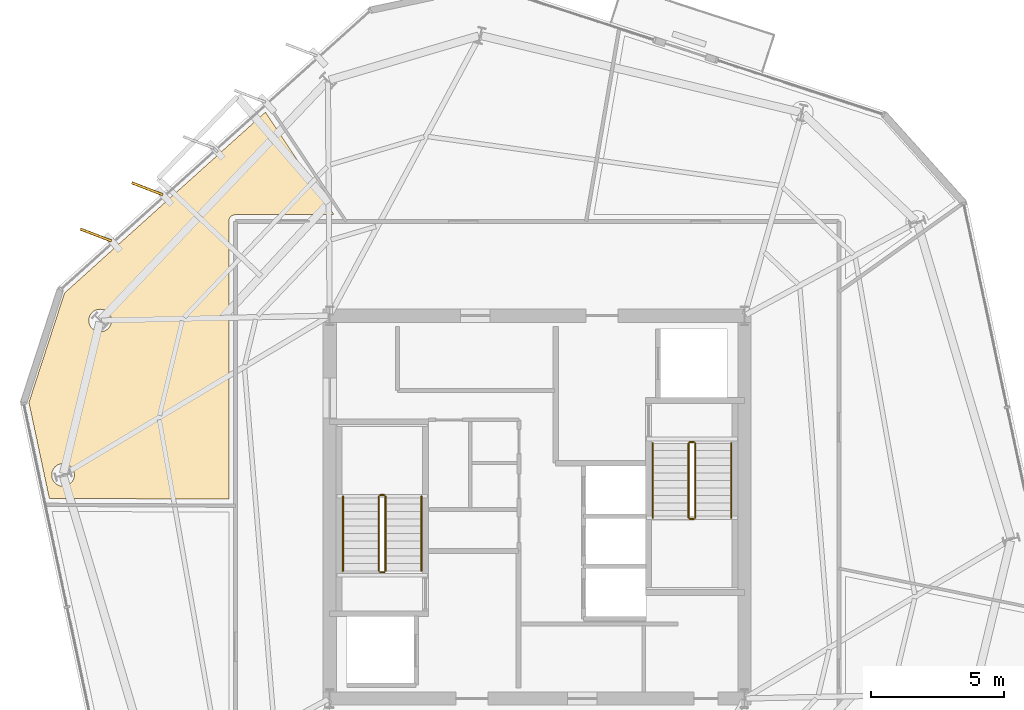
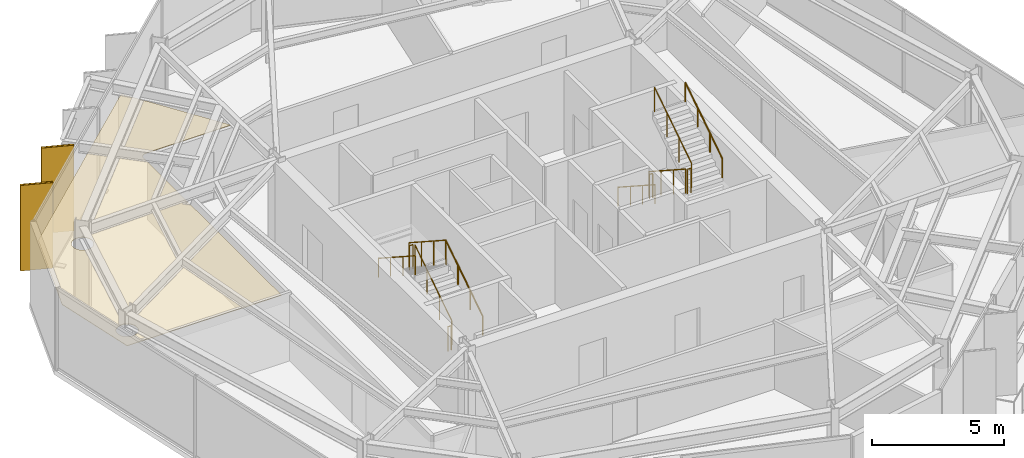
# One storey, part 10 of 11: 12 railings, 3 coverings, 2 shading devices.
"""IFC4 building model written with IfcOpenShell, lengths in metres."""

import ifcopenshell
import ifcopenshell.guid

model = None  # the IFC model being written
_history = None  # IfcOwnerHistory: only IFC2X3 demands one
_inside = {}  # id of a spatial element -> (the spatial element, [elements in it])
_under = {}  # id of a project, library or spatial element -> (it, [spatial elements below it])
_declared = {}  # id of a project -> (the project, [libraries it declares])
_typed = {}  # id of a type object -> (the type object, [elements of that type])
_made_of = {}  # id of a material, layer set ... -> (it, [elements and type objects made of it])


def new_model(schema):
    """Start an empty IFC model of exactly this schema.

    Asked for "IFC4X3", IfcOpenShell would pick the latest addendum, in which some entities
    have other attributes; the version numbers below select the first issue.
    IFC2X3 requires an IfcOwnerHistory on every rooted entity: one is made here for all.
    """
    global model, _history
    if schema == "IFC4X3":
        model = ifcopenshell.file(schema_version=(4, 3, 0, 0))
    else:
        model = ifcopenshell.file(schema=schema)
    _inside.clear()
    _under.clear()
    _declared.clear()
    _typed.clear()
    _made_of.clear()
    _history = None
    if model.schema == "IFC2X3":
        org = make("IfcOrganization", Name="unknown")
        user = make(
            "IfcPersonAndOrganization",
            ThePerson=make("IfcPerson", FamilyName="unknown"),
            TheOrganization=org,
        )
        app = make(
            "IfcApplication",
            ApplicationDeveloper=org,
            Version="unknown",
            ApplicationFullName="unknown",
            ApplicationIdentifier="unknown",
        )
        _history = make(
            "IfcOwnerHistory",
            OwningUser=user,
            OwningApplication=app,
            ChangeAction="ADDED",
            CreationDate=0,
        )
    return model


def make(cls, **values):
    """One entity of the class cls with the attributes given. An attribute that is None is left unset."""
    return model.create_entity(
        cls, **{name: value for name, value in values.items() if value is not None}
    )


def rooted(cls, **values):
    """An entity with a GlobalId (a new one), such as an element, a storey or a relation."""
    return make(cls, GlobalId=ifcopenshell.guid.new(), OwnerHistory=_history, **values)


def si_unit(unit_type, name, prefix=None):
    """IfcSIUnit, for example si_unit("LENGTHUNIT", "METRE", prefix="MILLI")."""
    return make("IfcSIUnit", UnitType=unit_type, Prefix=prefix, Name=name)


def assignment(units):
    """IfcUnitAssignment: the units of a project."""
    return None if units is None else make("IfcUnitAssignment", Units=units)


def point(xyz):
    """IfcCartesianPoint."""
    return None if xyz is None else make("IfcCartesianPoint", Coordinates=xyz)


def direction(xyz):
    """IfcDirection."""
    return None if xyz is None else make("IfcDirection", DirectionRatios=xyz)


def frame(location, z_axis=None, x_axis=None):
    """IfcAxis2Placement3D, a coordinate frame: its origin and axes. An axis left out is left unset."""
    return make(
        "IfcAxis2Placement3D",
        Location=point(location),
        Axis=direction(z_axis),
        RefDirection=direction(x_axis),
    )


def frame_2d(location, x_axis=None):
    """IfcAxis2Placement2D, a coordinate frame in the plane: its origin and x axis."""
    return make(
        "IfcAxis2Placement2D", Location=point(location), RefDirection=direction(x_axis)
    )


def origin():
    """The frame at (0, 0, 0) with its axes left unset."""
    return frame((0.0, 0.0, 0.0))


def origin_2d():
    """The frame at (0, 0) in the plane with its x axis left unset."""
    return frame_2d((0.0, 0.0))


def place(relative_to, where):
    """IfcLocalPlacement: puts the frame where relative to a parent placement (None: the world)."""
    return make(
        "IfcLocalPlacement", PlacementRelTo=relative_to, RelativePlacement=where
    )


def context(
    kind, dimensions, precision=None, world=None, true_north=None, identifier=None
):
    """IfcGeometricRepresentationContext, for example the 3D "Model" context."""
    return make(
        "IfcGeometricRepresentationContext",
        ContextIdentifier=identifier,
        ContextType=kind,
        CoordinateSpaceDimension=dimensions,
        Precision=precision,
        WorldCoordinateSystem=world,
        TrueNorth=true_north,
    )


def subcontext(parent, identifier, kind, view, scale=None):
    """IfcGeometricRepresentationSubContext, for example "Body" below "Model"."""
    return make(
        "IfcGeometricRepresentationSubContext",
        ContextIdentifier=identifier,
        ContextType=kind,
        ParentContext=parent,
        TargetScale=scale,
        TargetView=view,
    )


def project(units=None, contexts=None):
    """IfcProject with its units and contexts."""
    return rooted(
        "IfcProject",
        Name="project",
        RepresentationContexts=contexts,
        UnitsInContext=assignment(units),
    )


def spatial(cls, under=None, at=None, **own):
    """A site, building, storey or space (cls), placed at a placement, below another one or the project."""
    s = rooted(cls, ObjectPlacement=at, **own)
    if under is not None:
        _under.setdefault(under.id(), (under, []))[1].append(s)
    return s


def polyline(points):
    """IfcPolyline through the points."""
    return make("IfcPolyline", Points=[point(p) for p in points])


def profile(cls, at=None, kind="AREA", **sizes):
    """A parametric profile (cls). Its sizes go by their IFC names, for example OverallWidth=200.0."""
    return make(cls, ProfileType=kind, Position=at, **sizes)


def rectangle(**sizes):
    """IfcRectangleProfileDef."""
    return profile("IfcRectangleProfileDef", **sizes)


def circle(**sizes):
    """IfcCircleProfileDef."""
    return profile("IfcCircleProfileDef", **sizes)


def outline(outer, holes=None, kind="AREA"):
    """IfcArbitraryClosedProfileDef: a profile drawn as a closed curve; with holes, ...WithVoids."""
    if holes is None:
        return make("IfcArbitraryClosedProfileDef", ProfileType=kind, OuterCurve=outer)
    return make(
        "IfcArbitraryProfileDefWithVoids",
        ProfileType=kind,
        OuterCurve=outer,
        InnerCurves=holes,
    )


def extrude(swept, where, along, depth):
    """IfcExtrudedAreaSolid: the profile swept, set in the frame where, extruded along a direction by depth."""
    return make(
        "IfcExtrudedAreaSolid",
        SweptArea=swept,
        Position=where,
        ExtrudedDirection=direction(along),
        Depth=depth,
    )


def shape(context_of_items, identifier, shape_type, items):
    """IfcShapeRepresentation: the items that make up one representation, for example the "Body"."""
    return make(
        "IfcShapeRepresentation",
        ContextOfItems=context_of_items,
        RepresentationIdentifier=identifier,
        RepresentationType=shape_type,
        Items=items,
    )


def material(Name=None, Category=None):
    """IfcMaterial."""
    return make("IfcMaterial", Name=Name, Category=Category)


def layer(
    of_material, thickness, ventilated=None, Name=None, Category=None, Priority=None
):
    """IfcMaterialLayer: one layer of a wall or slab, of a material (None: an air gap)."""
    return make(
        "IfcMaterialLayer",
        Material=of_material,
        LayerThickness=thickness,
        IsVentilated=ventilated,
        Name=Name,
        Category=Category,
        Priority=Priority,
    )


def layer_set(layers, Name=None):
    """IfcMaterialLayerSet."""
    return make("IfcMaterialLayerSet", MaterialLayers=layers, LayerSetName=Name)


def made_of(thing, what):
    """Note that an element or type object is made of a material, layer set ...; save() writes the relation."""
    if what is not None:
        _made_of.setdefault(what.id(), (what, []))[1].append(thing)
    return thing


def type_object(cls, material=None, **own):
    """A type object (cls), such as IfcWallType, which elements share."""
    return made_of(rooted(cls, **own), material)


def element(
    cls,
    number,
    at=None,
    inside=None,
    cuts=None,
    type_object=None,
    material=None,
    context=None,
    identifier="Body",
    shape_type=None,
    held_by="IfcProductDefinitionShape",
    body=None,
    shapes=None,
    **own,
):
    """One element of the class cls, such as IfcWall. Its Tag is "e" and its number.

    at: its placement. inside: the storey or other place that contains it. cuts: it is an
    opening in that element (IfcRelVoidsElement). A single representation is given by context,
    identifier, shape_type and body (its items); several are given by shapes. held_by: the class
    of the entity that holds the representations. save() writes the other relations.
    """
    e = rooted(cls, Tag="e%d" % number, ObjectPlacement=at, **own)
    if body is not None:
        shapes = [shape(context, identifier, shape_type, body)]
    if shapes is not None:
        e.Representation = make(held_by, Representations=shapes)
    if inside is not None:
        _inside.setdefault(inside.id(), (inside, []))[1].append(e)
    if cuts is not None:
        rooted(
            "IfcRelVoidsElement", RelatingBuildingElement=cuts, RelatedOpeningElement=e
        )
    if type_object is not None:
        _typed.setdefault(type_object.id(), (type_object, []))[1].append(e)
    return made_of(e, material)


def aggregate(whole, parts):
    """IfcRelAggregates: a whole, such as a stair, and the parts it consists of."""
    return rooted("IfcRelAggregates", RelatingObject=whole, RelatedObjects=parts)


def save(model, path):
    """Write the relations noted so far, then the file.

    IfcRelAggregates (storeys below a building ...), IfcRelContainedInSpatialStructure (elements
    in a storey), IfcRelDefinesByType, IfcRelAssociatesMaterial and IfcRelDeclares: one each for
    every whole, place, type object, material and project.
    """
    for whole, parts in _under.values():
        aggregate(whole, parts)
    for where, things in _inside.values():
        rooted(
            "IfcRelContainedInSpatialStructure",
            RelatedElements=things,
            RelatingStructure=where,
        )
    for kind, things in _typed.values():
        rooted("IfcRelDefinesByType", RelatedObjects=things, RelatingType=kind)
    for what, things in _made_of.values():
        rooted("IfcRelAssociatesMaterial", RelatedObjects=things, RelatingMaterial=what)
    for by, libraries in _declared.values():
        rooted("IfcRelDeclares", RelatingContext=by, RelatedDefinitions=libraries)
    model.write(path)


model = new_model("IFC4")

# Units and contexts
model_context = context("Model", 3, precision=1e-05, world=origin(), true_north=direction((0.0, 1.0)))
body_context = subcontext(model_context, "Body", "Model", "MODEL_VIEW")
ifc_project = project(units=[si_unit("LENGTHUNIT", "METRE"), si_unit("AREAUNIT", "SQUARE_METRE"), si_unit("VOLUMEUNIT", "CUBIC_METRE"), si_unit("PLANEANGLEUNIT", "RADIAN"), si_unit("MASSUNIT", "GRAM", prefix="KILO")], contexts=[model_context])

# Site, building, storey
site_placement = place(None, origin())
site = spatial("IfcSite", under=ifc_project, at=site_placement, CompositionType="ELEMENT")
building_placement = place(site_placement, origin())
building = spatial("IfcBuilding", under=site, at=building_placement, Name="Kranzbogen Civic Tower", CompositionType="ELEMENT")
storey_placement = place(building_placement, frame((0.0, 0.0, 192.800048828125)))
storey = spatial("IfcBuildingStorey", under=building, at=storey_placement, Name="L46", CompositionType="ELEMENT", Elevation=192.800048828125)

# Coverings
ifc_material_1 = material(Name="Pale Anodised Aluminium", Category="aluminium")
ifc_layer_1 = layer(ifc_material_1, 0.02490234375, Name="Pale Anodised Aluminium")
ifc_layer_set_1 = layer_set([ifc_layer_1], Name="Pale Anodised Aluminium")
covering_type_1 = type_object("IfcCoveringType", Name="Anodised Aluminium Vertical Fin Cladding 25 mm", PredefinedType="CLADDING", material=ifc_layer_set_1)
for number, where, z_axis, x_axis, name in (
    (1, (10.340087890625, 36.972900390625, -0.14013671875), (0.0, 0.0, 1.0), (-0.933323744767, 0.359035913878, 0.0), "L46 vertical fin pale-metal cladding F2-4"),
    (2, (8.407958984375, 35.23291015625, -0.14013671875), (0.0, 0.0, 1.0), (-0.933323744767, 0.359035913878, 0.0), "L46 vertical fin pale-metal cladding F2-5"),
):
    element("IfcCovering", number, at=place(storey_placement, frame(where, z_axis=z_axis, x_axis=x_axis)), inside=storey, type_object=covering_type_1, Name=name, PredefinedType="CLADDING", context=body_context, shape_type="SweptSolid", body=[
        extrude(rectangle(XDim=1.25, YDim=0.10009765625, at=origin_2d()), origin(), (0.0, 0.0, 1.0), 3.9599609375),
    ])

# Shading devices
ifc_material_2 = material(Name="Anodised Bronze Aluminium", Category="aluminium")
shading_device_type = type_object("IfcShadingDeviceType", Name="Anodised Bronze Vertical Facade Fin 1250x80", PredefinedType="USERDEFINED", material=ifc_material_2)
for number, where, z_axis, x_axis, name in (
    (3, (10.340087890625, 36.972900390625, -0.14013671875), (0.0, 0.0, 1.0), (-0.933323744767, 0.359035913878, 0.0), "L46 vertical exterior shading fin F2-4"),
    (4, (8.407958984375, 35.23291015625, -0.14013671875), (0.0, 0.0, 1.0), (-0.933323744767, 0.359035913878, 0.0), "L46 vertical exterior shading fin F2-5"),
):
    element("IfcShadingDevice", number, at=place(storey_placement, frame(where, z_axis=z_axis, x_axis=x_axis)), inside=storey, type_object=shading_device_type, Name=name, ObjectType="FIN", PredefinedType="USERDEFINED", context=body_context, shape_type="SweptSolid", body=[
        extrude(rectangle(XDim=1.25, YDim=0.080078125, at=origin_2d()), origin(), (0.0, 0.0, 1.0), 3.9599609375),
    ])

# Railings
ifc_material_3 = material(Name="Steel S355", Category="steel")
railing_type_1 = type_object("IfcRailingType", Name="Internal Stair and Void Steel Guardrail 1150", PredefinedType="GUARDRAIL", material=ifc_material_3)
railing_1_placement = place(storey_placement, frame((19.300048828125, 22.60009765625, 0.181884765625)))
element("IfcRailing", 5, at=railing_1_placement, inside=storey, type_object=railing_type_1, Name="L46 ST-T1 stair guard 1", PredefinedType="GUARDRAIL", context=body_context, shape_type="SweptSolid", body=[
    extrude(circle(Radius=0.02392578125, at=origin_2d()), frame((0.0, 0.0, 1.1259765625), z_axis=(0.0, 0.83868413941, 0.544618136222), x_axis=(-1.0, 0.0, 0.0)), (0.0, 0.0, 1.0), 3.33837890625),
    extrude(circle(Radius=0.02099609375, at=origin_2d()), origin(), (0.0, 0.0, 1.0), 1.101806640625),
    extrude(circle(Radius=0.02099609375, at=origin_2d()), frame((0.0, 0.933349609375, 0.60595703125)), (0.0, 0.0, 1.0), 1.101806640625),
    extrude(circle(Radius=0.02099609375, at=origin_2d()), frame((0.0, 1.866455078125, 1.212158203125)), (0.0, 0.0, 1.0), 1.101806640625),
    extrude(circle(Radius=0.02099609375, at=origin_2d()), frame((0.0, 2.7998046875, 1.818115234375)), (0.0, 0.0, 1.0), 1.101806640625),
])
railing_2_placement = place(storey_placement, frame((19.25, 25.449951171875, 2.0)))
element("IfcRailing", 6, at=railing_2_placement, inside=storey, type_object=railing_type_1, Name="L46 ST-T1 stair guard 2", PredefinedType="GUARDRAIL", context=body_context, shape_type="SweptSolid", body=[
    extrude(circle(Radius=0.02392578125, at=origin_2d()), frame((0.0, 0.0, 1.1259765625), z_axis=(-1.0, 0.0, 0.0), x_axis=(0.0, -1.0, 0.0)), (0.0, 0.0, 1.0), 0.14990234375),
    extrude(circle(Radius=0.02099609375, at=origin_2d()), origin(), (0.0, 0.0, 1.0), 1.101806640625),
    extrude(circle(Radius=0.02099609375, at=origin_2d()), frame((-0.14990234375, 0.0, 0.0)), (0.0, 0.0, 1.0), 1.101806640625),
])
railing_3_placement = place(storey_placement, frame((19.050048828125, 25.39990234375, 2.181884765625)))
element("IfcRailing", 7, at=railing_3_placement, inside=storey, type_object=railing_type_1, Name="L46 ST-T1 stair guard 3", PredefinedType="GUARDRAIL", context=body_context, shape_type="SweptSolid", body=[
    extrude(circle(Radius=0.02392578125, at=origin_2d()), frame((0.0, 0.0, 1.1259765625), z_axis=(0.0, -0.83868413941, 0.544618136222), x_axis=(1.0, 0.0, 0.0)), (0.0, 0.0, 1.0), 3.33837890625),
    extrude(circle(Radius=0.02099609375, at=origin_2d()), origin(), (0.0, 0.0, 1.0), 1.101806640625),
    extrude(circle(Radius=0.02099609375, at=origin_2d()), frame((0.0, -0.933349609375, 0.60595703125)), (0.0, 0.0, 1.0), 1.101806640625),
    extrude(circle(Radius=0.02099609375, at=origin_2d()), frame((0.0, -1.866455078125, 1.212158203125)), (0.0, 0.0, 1.0), 1.101806640625),
    extrude(circle(Radius=0.02099609375, at=origin_2d()), frame((0.0, -2.7998046875, 1.818115234375)), (0.0, 0.0, 1.0), 1.101806640625),
])
railing_4_placement = place(storey_placement, frame((19.25, 22.550048828125, 0.0)))
element("IfcRailing", 8, at=railing_4_placement, inside=storey, type_object=railing_type_1, Name="L46 ST-T1 stair guard 4", PredefinedType="GUARDRAIL", context=body_context, shape_type="SweptSolid", body=[
    extrude(circle(Radius=0.02392578125, at=origin_2d()), frame((0.0, 0.0, 1.1259765625), z_axis=(-1.0, 0.0, 0.0), x_axis=(0.0, -1.0, 0.0)), (0.0, 0.0, 1.0), 0.14990234375),
    extrude(circle(Radius=0.02099609375, at=origin_2d()), origin(), (0.0, 0.0, 1.0), 1.101806640625),
    extrude(circle(Radius=0.02099609375, at=origin_2d()), frame((-0.14990234375, 0.0, 0.0)), (0.0, 0.0, 1.0), 1.101806640625),
])
railing_5_placement = place(storey_placement, frame((30.699951171875, 27.39990234375, 0.181884765625)))
element("IfcRailing", 9, at=railing_5_placement, inside=storey, type_object=railing_type_1, Name="L46 ST-T2 stair guard 1", PredefinedType="GUARDRAIL", context=body_context, shape_type="SweptSolid", body=[
    extrude(circle(Radius=0.02392578125, at=origin_2d()), frame((0.0, 0.0, 1.1259765625), z_axis=(0.0, -0.83868413941, 0.544618136222), x_axis=(1.0, 0.0, 0.0)), (0.0, 0.0, 1.0), 3.33837890625),
    extrude(circle(Radius=0.02099609375, at=origin_2d()), origin(), (0.0, 0.0, 1.0), 1.101806640625),
    extrude(circle(Radius=0.02099609375, at=origin_2d()), frame((0.0, -0.933349609375, 0.60595703125)), (0.0, 0.0, 1.0), 1.101806640625),
    extrude(circle(Radius=0.02099609375, at=origin_2d()), frame((0.0, -1.866455078125, 1.212158203125)), (0.0, 0.0, 1.0), 1.101806640625),
    extrude(circle(Radius=0.02099609375, at=origin_2d()), frame((0.0, -2.7998046875, 1.818115234375)), (0.0, 0.0, 1.0), 1.101806640625),
])
railing_6_placement = place(storey_placement, frame((30.75, 24.550048828125, 2.0)))
element("IfcRailing", 10, at=railing_6_placement, inside=storey, type_object=railing_type_1, Name="L46 ST-T2 stair guard 2", PredefinedType="GUARDRAIL", context=body_context, shape_type="SweptSolid", body=[
    extrude(circle(Radius=0.02392578125, at=origin_2d()), frame((0.0, 0.0, 1.1259765625), z_axis=(1.0, 0.0, 0.0), x_axis=(0.0, 1.0, 0.0)), (0.0, 0.0, 1.0), 0.14990234375),
    extrude(circle(Radius=0.02099609375, at=origin_2d()), origin(), (0.0, 0.0, 1.0), 1.101806640625),
    extrude(circle(Radius=0.02099609375, at=origin_2d()), frame((0.14990234375, 0.0, 0.0)), (0.0, 0.0, 1.0), 1.101806640625),
])
railing_7_placement = place(storey_placement, frame((30.949951171875, 24.60009765625, 2.181884765625)))
element("IfcRailing", 11, at=railing_7_placement, inside=storey, type_object=railing_type_1, Name="L46 ST-T2 stair guard 3", PredefinedType="GUARDRAIL", context=body_context, shape_type="SweptSolid", body=[
    extrude(circle(Radius=0.02392578125, at=origin_2d()), frame((0.0, 0.0, 1.1259765625), z_axis=(0.0, 0.83868413941, 0.544618136222), x_axis=(-1.0, 0.0, 0.0)), (0.0, 0.0, 1.0), 3.33837890625),
    extrude(circle(Radius=0.02099609375, at=origin_2d()), origin(), (0.0, 0.0, 1.0), 1.101806640625),
    extrude(circle(Radius=0.02099609375, at=origin_2d()), frame((0.0, 0.933349609375, 0.60595703125)), (0.0, 0.0, 1.0), 1.101806640625),
    extrude(circle(Radius=0.02099609375, at=origin_2d()), frame((0.0, 1.866455078125, 1.212158203125)), (0.0, 0.0, 1.0), 1.101806640625),
    extrude(circle(Radius=0.02099609375, at=origin_2d()), frame((0.0, 2.7998046875, 1.818115234375)), (0.0, 0.0, 1.0), 1.101806640625),
])
railing_8_placement = place(storey_placement, frame((30.75, 27.449951171875, 0.0)))
element("IfcRailing", 12, at=railing_8_placement, inside=storey, type_object=railing_type_1, Name="L46 ST-T2 stair guard 4", PredefinedType="GUARDRAIL", context=body_context, shape_type="SweptSolid", body=[
    extrude(circle(Radius=0.02392578125, at=origin_2d()), frame((0.0, 0.0, 1.1259765625), z_axis=(1.0, 0.0, 0.0), x_axis=(0.0, 1.0, 0.0)), (0.0, 0.0, 1.0), 0.14990234375),
    extrude(circle(Radius=0.02099609375, at=origin_2d()), origin(), (0.0, 0.0, 1.0), 1.101806640625),
    extrude(circle(Radius=0.02099609375, at=origin_2d()), frame((0.14990234375, 0.0, 0.0)), (0.0, 0.0, 1.0), 1.101806640625),
])

# Covering
ifc_material_4 = material(Name="Perforated Acoustic Gypsum Ceiling")
ifc_layer_2 = layer(ifc_material_4, 0.02490234375, Name="Perforated Acoustic Gypsum Ceiling")
ifc_layer_set_2 = layer_set([ifc_layer_2], Name="Perforated Acoustic Gypsum Ceiling")
covering_type_2 = type_object("IfcCoveringType", Name="Perforated Acoustic Mineral Ceiling Tile 25 mm", PredefinedType="CEILING", material=ifc_layer_set_2)
covering_placement = place(storey_placement, frame((0.0, 0.0, 2.89990234375)))
element("IfcCovering", 13, at=covering_placement, inside=storey, type_object=covering_type_2, Name="L46 Citizen Services Kiosk acoustic ceiling", PredefinedType="CEILING", context=body_context, shape_type="SweptSolid", body=[
    extrude(outline(polyline([(7.22607421875, 33.050048828125), (14.783935546875, 39.85400390625), (17.362060546875, 35.9951171875), (13.64990234375, 35.9951171875), (13.64111328125, 35.9951171875), (13.635009765625, 35.993896484375), (13.616943359375, 35.992919921875), (13.611083984375, 35.991943359375), (13.593994140625, 35.988037109375), (13.5869140625, 35.987060546875), (13.570068359375, 35.98193359375), (13.56396484375, 35.97998046875), (13.548095703125, 35.972900390625), (13.5419921875, 35.969970703125), (13.527099609375, 35.9619140625), (13.52099609375, 35.9580078125), (13.507080078125, 35.948974609375), (13.501953125, 35.945068359375), (13.488037109375, 35.93408203125), (13.48291015625, 35.928955078125), (13.470947265625, 35.9169921875), (13.466064453125, 35.912109375), (13.455078125, 35.89794921875), (13.450927734375, 35.89306640625), (13.44189453125, 35.87890625), (13.43798828125, 35.873046875), (13.429931640625, 35.85791015625), (13.427001953125, 35.85205078125), (13.419921875, 35.8359375), (13.41796875, 35.830078125), (13.4130859375, 35.81298828125), (13.412109375, 35.805908203125), (13.407958984375, 35.7890625), (13.406982421875, 35.782958984375), (13.406005859375, 35.764892578125), (13.405029296875, 35.759033203125), (13.405029296875, 35.75), (13.405029296875, 25.298095703125), (6.656005859375, 25.327880859375), (5.888916015625, 28.93505859375), (7.22607421875, 33.050048828125)]), holes=[polyline([(7.56494140625, 26.0458984375), (7.547119140625, 26.008056640625), (7.52587890625, 25.972900390625), (7.5009765625, 25.93896484375), (7.472900390625, 25.907958984375), (7.44189453125, 25.8798828125), (7.407958984375, 25.85498046875), (7.373046875, 25.833984375), (7.3349609375, 25.81591796875), (7.2958984375, 25.802001953125), (7.2548828125, 25.7919921875), (7.214111328125, 25.785888671875), (7.172119140625, 25.783935546875), (7.1298828125, 25.785888671875), (7.089111328125, 25.7919921875), (7.048095703125, 25.802001953125), (7.009033203125, 25.81591796875), (6.970947265625, 25.833984375), (6.93603515625, 25.85498046875), (6.902099609375, 25.8798828125), (6.87109375, 25.907958984375), (6.843017578125, 25.93896484375), (6.818115234375, 25.972900390625), (6.797119140625, 26.008056640625), (6.779052734375, 26.0458984375), (6.764892578125, 26.0849609375), (6.7548828125, 26.1259765625), (6.7490234375, 26.1669921875), (6.7470703125, 26.208984375), (6.7490234375, 26.2509765625), (6.7548828125, 26.2919921875), (6.764892578125, 26.3330078125), (6.779052734375, 26.3720703125), (6.797119140625, 26.409912109375), (6.818115234375, 26.445068359375), (6.843017578125, 26.47900390625), (6.87109375, 26.510009765625), (6.902099609375, 26.5380859375), (6.93603515625, 26.56298828125), (6.970947265625, 26.583984375), (7.009033203125, 26.60205078125), (7.048095703125, 26.615966796875), (7.089111328125, 26.6259765625), (7.1298828125, 26.632080078125), (7.172119140625, 26.634033203125), (7.214111328125, 26.632080078125), (7.2548828125, 26.6259765625), (7.2958984375, 26.615966796875), (7.3349609375, 26.60205078125), (7.373046875, 26.583984375), (7.407958984375, 26.56298828125), (7.44189453125, 26.5380859375), (7.472900390625, 26.510009765625), (7.5009765625, 26.47900390625), (7.52587890625, 26.445068359375), (7.547119140625, 26.409912109375), (7.56494140625, 26.3720703125), (7.5791015625, 26.3330078125), (7.589111328125, 26.2919921875), (7.594970703125, 26.2509765625), (7.596923828125, 26.208984375), (7.594970703125, 26.1669921875), (7.589111328125, 26.1259765625), (7.5791015625, 26.0849609375), (7.56494140625, 26.0458984375)]), polyline([(8.9599609375, 31.85302734375), (8.94189453125, 31.81494140625), (8.9208984375, 31.780029296875), (8.89599609375, 31.74609375), (8.867919921875, 31.715087890625), (8.8369140625, 31.68701171875), (8.802978515625, 31.662109375), (8.76806640625, 31.64111328125), (8.72998046875, 31.623046875), (8.69091796875, 31.60888671875), (8.64990234375, 31.59912109375), (8.60888671875, 31.593017578125), (8.56689453125, 31.591064453125), (8.52490234375, 31.593017578125), (8.48388671875, 31.59912109375), (8.443115234375, 31.60888671875), (8.404052734375, 31.623046875), (8.365966796875, 31.64111328125), (8.3310546875, 31.662109375), (8.297119140625, 31.68701171875), (8.26611328125, 31.715087890625), (8.238037109375, 31.74609375), (8.212890625, 31.780029296875), (8.19189453125, 31.81494140625), (8.174072265625, 31.85302734375), (8.159912109375, 31.89208984375), (8.14990234375, 31.93310546875), (8.14404296875, 31.97412109375), (8.14208984375, 32.01611328125), (8.14404296875, 32.05810546875), (8.14990234375, 32.09912109375), (8.159912109375, 32.139892578125), (8.174072265625, 32.178955078125), (8.19189453125, 32.217041015625), (8.212890625, 32.251953125), (8.238037109375, 32.285888671875), (8.26611328125, 32.31689453125), (8.297119140625, 32.344970703125), (8.3310546875, 32.3701171875), (8.365966796875, 32.39111328125), (8.404052734375, 32.408935546875), (8.443115234375, 32.423095703125), (8.48388671875, 32.43310546875), (8.52490234375, 32.43896484375), (8.56689453125, 32.44091796875), (8.60888671875, 32.43896484375), (8.64990234375, 32.43310546875), (8.69091796875, 32.423095703125), (8.72998046875, 32.408935546875), (8.76806640625, 32.39111328125), (8.802978515625, 32.3701171875), (8.8369140625, 32.344970703125), (8.867919921875, 32.31689453125), (8.89599609375, 32.285888671875), (8.9208984375, 32.251953125), (8.94189453125, 32.217041015625), (8.9599609375, 32.178955078125), (8.97412109375, 32.139892578125), (8.98388671875, 32.09912109375), (8.989990234375, 32.05810546875), (8.991943359375, 32.01611328125), (8.989990234375, 31.97412109375), (8.98388671875, 31.93310546875), (8.97412109375, 31.89208984375), (8.9599609375, 31.85302734375)])]), origin(), (0.0, 0.0, 1.0), 0.025146484375),
])

# Railings
railing_type_2 = type_object("IfcRailingType", Name="Tubular Stainless Stair Wall Handrail 900", PredefinedType="HANDRAIL", material=ifc_material_1)
railing_9_placement = place(storey_placement, frame((20.64990234375, 22.60009765625, 0.181884765625)))
element("IfcRailing", 14, at=railing_9_placement, inside=storey, type_object=railing_type_2, Name="L46 ST-T1 stair handrail 1", PredefinedType="HANDRAIL", context=body_context, shape_type="SweptSolid", body=[
    extrude(circle(Radius=0.02392578125, at=origin_2d()), frame((0.0, 0.0, 0.8759765625), z_axis=(0.0, 0.83868413941, 0.544618136222), x_axis=(-1.0, 0.0, 0.0)), (0.0, 0.0, 1.0), 3.33837890625),
    extrude(circle(Radius=0.02099609375, at=origin_2d()), origin(), (0.0, 0.0, 1.0), 0.851806640625),
    extrude(circle(Radius=0.02099609375, at=origin_2d()), frame((0.0, 0.933349609375, 0.60595703125)), (0.0, 0.0, 1.0), 0.851806640625),
    extrude(circle(Radius=0.02099609375, at=origin_2d()), frame((0.0, 1.866455078125, 1.212158203125)), (0.0, 0.0, 1.0), 0.851806640625),
    extrude(circle(Radius=0.02099609375, at=origin_2d()), frame((0.0, 2.7998046875, 1.818115234375)), (0.0, 0.0, 1.0), 0.851806640625),
])
for number, where, name in (
    (15, (17.699951171875, 25.39990234375, 2.181884765625), "L46 ST-T1 stair handrail 2"),
    (16, (29.35009765625, 27.39990234375, 0.181884765625), "L46 ST-T2 stair handrail 1"),
):
    element("IfcRailing", number, at=place(storey_placement, frame(where)), inside=storey, type_object=railing_type_2, Name=name, PredefinedType="HANDRAIL", context=body_context, shape_type="SweptSolid", body=[
        extrude(circle(Radius=0.02392578125, at=origin_2d()), frame((0.0, 0.0, 0.8759765625), z_axis=(0.0, -0.83868413941, 0.544618136222), x_axis=(1.0, 0.0, 0.0)), (0.0, 0.0, 1.0), 3.33837890625),
        extrude(circle(Radius=0.02099609375, at=origin_2d()), origin(), (0.0, 0.0, 1.0), 0.851806640625),
        extrude(circle(Radius=0.02099609375, at=origin_2d()), frame((0.0, -0.933349609375, 0.60595703125)), (0.0, 0.0, 1.0), 0.851806640625),
        extrude(circle(Radius=0.02099609375, at=origin_2d()), frame((0.0, -1.866455078125, 1.212158203125)), (0.0, 0.0, 1.0), 0.851806640625),
        extrude(circle(Radius=0.02099609375, at=origin_2d()), frame((0.0, -2.7998046875, 1.818115234375)), (0.0, 0.0, 1.0), 0.851806640625),
    ])
railing_10_placement = place(storey_placement, frame((32.300048828125, 24.60009765625, 2.181884765625)))
element("IfcRailing", 17, at=railing_10_placement, inside=storey, type_object=railing_type_2, Name="L46 ST-T2 stair handrail 2", PredefinedType="HANDRAIL", context=body_context, shape_type="SweptSolid", body=[
    extrude(circle(Radius=0.02392578125, at=origin_2d()), frame((0.0, 0.0, 0.8759765625), z_axis=(0.0, 0.83868413941, 0.544618136222), x_axis=(-1.0, 0.0, 0.0)), (0.0, 0.0, 1.0), 3.33837890625),
    extrude(circle(Radius=0.02099609375, at=origin_2d()), origin(), (0.0, 0.0, 1.0), 0.851806640625),
    extrude(circle(Radius=0.02099609375, at=origin_2d()), frame((0.0, 0.933349609375, 0.60595703125)), (0.0, 0.0, 1.0), 0.851806640625),
    extrude(circle(Radius=0.02099609375, at=origin_2d()), frame((0.0, 1.866455078125, 1.212158203125)), (0.0, 0.0, 1.0), 0.851806640625),
    extrude(circle(Radius=0.02099609375, at=origin_2d()), frame((0.0, 2.7998046875, 1.818115234375)), (0.0, 0.0, 1.0), 0.851806640625),
])

save(model, "model.ifc")
